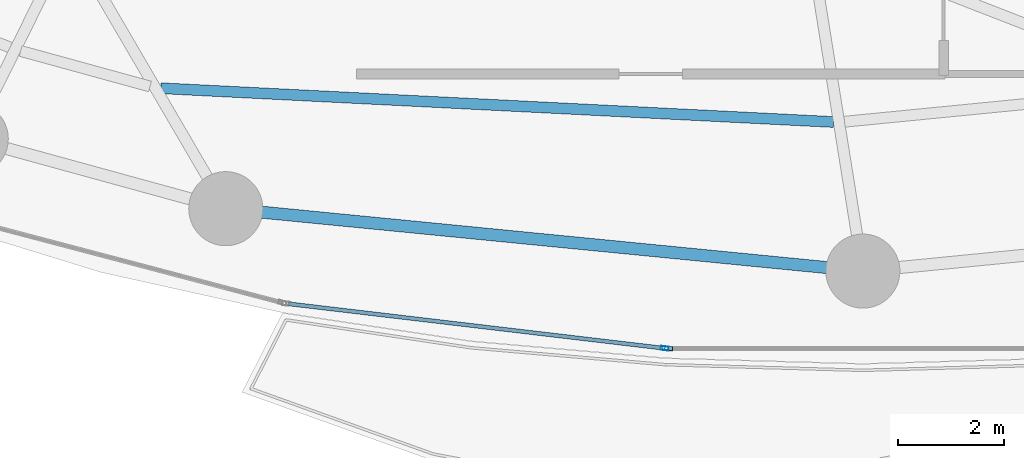
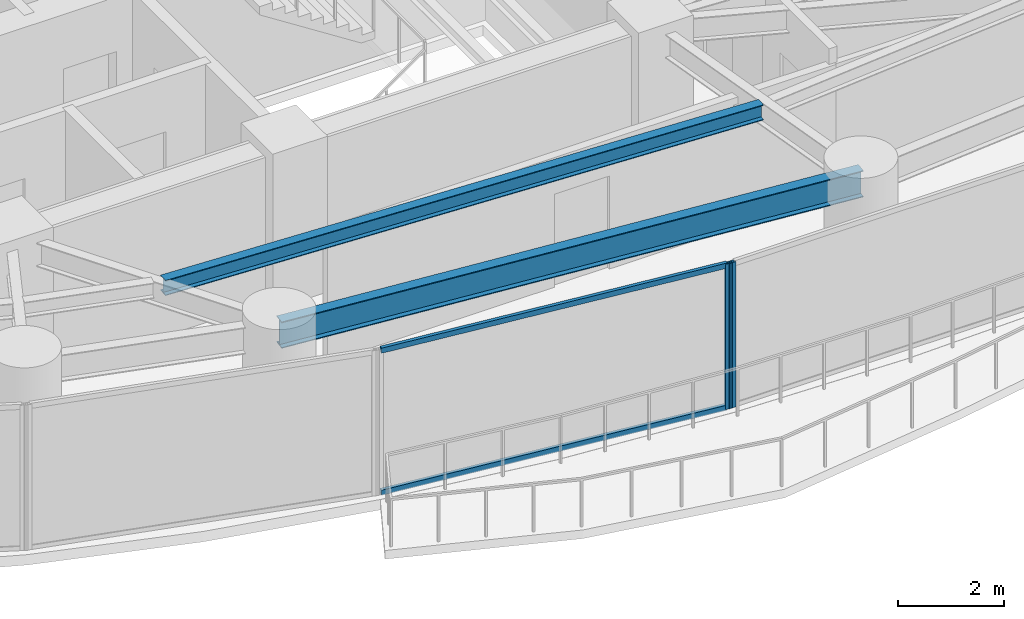
# One storey, part 6 of 31: 4 members, 2 beams, 2 elements without a shape of their own.
"""IFC4 building model written with IfcOpenShell, lengths in metres."""

from ifc_helpers import new_model, si_unit, direction, frame, origin, origin_2d, place, context, subcontext, project, spatial, hollow_rectangle, i_section, extrude, material, layer, layer_set, material_profile, profile_set, type_object, element, aggregate, save


model = new_model("IFC4")

# Units and contexts
model_context = context("Model", 3, precision=1e-05, world=origin(), true_north=direction((0.0, 1.0)))
body_context = subcontext(model_context, "Body", "Model", "MODEL_VIEW")
ifc_project = project(units=[si_unit("LENGTHUNIT", "METRE"), si_unit("AREAUNIT", "SQUARE_METRE"), si_unit("VOLUMEUNIT", "CUBIC_METRE"), si_unit("PLANEANGLEUNIT", "RADIAN"), si_unit("MASSUNIT", "GRAM", prefix="KILO")], contexts=[model_context])

# Site, building, storey
site_placement = place(None, origin())
site = spatial("IfcSite", under=ifc_project, at=site_placement, CompositionType="ELEMENT")
building_placement = place(site_placement, origin())
building = spatial("IfcBuilding", under=site, at=building_placement, Name="Kazevale Care Tower and Concert Hall", CompositionType="ELEMENT")
storey_placement = place(building_placement, frame((0.0, 0.0, 78.0)))
storey = spatial("IfcBuildingStorey", under=building, at=storey_placement, Name="L20", CompositionType="ELEMENT", Elevation=78.0)

# Curtain wall, member
ifc_material_1 = material(Name="Aluminium 6063-T6 and Low-E Glass", Category="aluminium")
ifc_layer = layer(ifc_material_1, 0.179931640625)
ifc_layer_set = layer_set([ifc_layer], Name="Aluminium 6063-T6 and Low-E Glass")
curtain_wall_type = type_object("IfcCurtainWallType", Name="Sheltered Concave Balcony Curtain Wall CW-5", PredefinedType="NOTDEFINED", material=ifc_layer_set)
curtain_wall_1_placement = place(storey_placement, origin())
curtain_wall_1 = element("IfcCurtainWall", 1, at=curtain_wall_1_placement, inside=storey, type_object=curtain_wall_type, Name="cw:L20:f06", PredefinedType="NOTDEFINED")
ifc_material_2 = material(Name="Aluminium 6063-T6", Category="aluminium")
ifc_material_profile_1 = material_profile(ifc_material_2, hollow_rectangle(XDim=0.074951171875, YDim=0.14990234375, WallThickness=0.00390625, at=origin_2d()), Name="ALU75x150x4")
ifc_profile_set_1 = profile_set([ifc_material_profile_1], Name="Aluminium 6063-T6")
member_type_1 = type_object("IfcMemberType", Name="CW-5 Mullion ALU75x150x4", PredefinedType="MULLION", material=ifc_profile_set_1)
member_1_placement = place(storey_placement, frame((41.33056640625, 15.885986328125, 0.0), z_axis=(0.0, 0.0, 1.0), x_axis=(0.0, -1.0, 0.0)))
member_1 = element("IfcMember", 2, at=member_1_placement, type_object=member_type_1, Name="CW-5 mullion 2", PredefinedType="MULLION", context=body_context, shape_type="SweptSolid", body=[
    extrude(hollow_rectangle(XDim=0.074951171875, YDim=0.14990234375, WallThickness=0.00390625, at=origin_2d()), origin(), (0.0, 0.0, 1.0), 3.360107421875),
])
aggregate(curtain_wall_1, [member_1])

# Curtain wall, members
curtain_wall_2_placement = place(storey_placement, origin())
curtain_wall_2 = element("IfcCurtainWall", 3, at=curtain_wall_2_placement, inside=storey, type_object=curtain_wall_type, Name="cw:L20:f07", PredefinedType="NOTDEFINED")
member_2_placement = place(storey_placement, frame((41.255859375, 15.890380859375, 0.0), z_axis=(0.0, 0.0, 1.0), x_axis=(-0.117519084253, -0.993070624294, 0.0)))
member_2 = element("IfcMember", 4, at=member_2_placement, type_object=member_type_1, Name="CW-5 mullion 1", PredefinedType="MULLION", context=body_context, shape_type="SweptSolid", body=[
    extrude(hollow_rectangle(XDim=0.074951171875, YDim=0.14990234375, WallThickness=0.00390625, at=origin_2d()), origin(), (0.0, 0.0, 1.0), 3.360107421875),
])
ifc_material_profile_2 = material_profile(ifc_material_2, hollow_rectangle(XDim=0.074951171875, YDim=0.1201171875, WallThickness=0.00390625, at=origin_2d()), Name="ALU75x120x4")
ifc_profile_set_2 = profile_set([ifc_material_profile_2], Name="Aluminium 6063-T6")
member_type_2 = type_object("IfcMemberType", Name="CW-5 Transom ALU75x120x4", PredefinedType="USERDEFINED", material=ifc_profile_set_2)
member_3_placement = place(storey_placement, frame((41.218505859375, 15.894775390625, 0.03759765625), z_axis=(-0.993069913078, 0.117525094085, 0.0), x_axis=(-0.117525094085, -0.993069913078, 0.0)))
member_3 = element("IfcMember", 5, at=member_3_placement, type_object=member_type_2, Name="CW-5 transom 1.1", ObjectType="TRANSOM", PredefinedType="USERDEFINED", context=body_context, shape_type="SweptSolid", body=[
    extrude(hollow_rectangle(XDim=0.074951171875, YDim=0.1201171875, WallThickness=0.00390625, at=origin_2d()), origin(), (0.0, 0.0, 1.0), 7.125244140625),
])
member_4_placement = place(storey_placement, frame((41.218505859375, 15.894775390625, 3.322509765625), z_axis=(-0.993069913078, 0.117525094085, 0.0), x_axis=(-0.117525094085, -0.993069913078, 0.0)))
member_4 = element("IfcMember", 6, at=member_4_placement, type_object=member_type_2, Name="CW-5 transom 1.2", ObjectType="TRANSOM", PredefinedType="USERDEFINED", context=body_context, shape_type="SweptSolid", body=[
    extrude(hollow_rectangle(XDim=0.074951171875, YDim=0.1201171875, WallThickness=0.00390625, at=origin_2d()), origin(), (0.0, 0.0, 1.0), 7.125244140625),
])
aggregate(curtain_wall_2, [member_2, member_3, member_4])

# Beams
ifc_material_3 = material(Name="Steel ASTM A572 Gr 50", Category="steel")
ifc_material_profile_3 = material_profile(ifc_material_3, i_section(OverallWidth=0.22900390625, OverallDepth=0.612060546875, WebThickness=0.011962890625, FlangeThickness=0.01953125, at=origin_2d()), Name="W610x125")
ifc_profile_set_3 = profile_set([ifc_material_profile_3], Name="Steel ASTM A572 Gr 50")
beam_type_1 = type_object("IfcBeamType", Name="Ring Spandrel Beam W610x125", PredefinedType="SPANDREL", material=ifc_profile_set_3)
beam_1_placement = place(storey_placement, frame((32.9599609375, 18.530029296875, 3.053955078125), z_axis=(0.995232251602, -0.09753340644, 0.0), x_axis=(0.09753340644, 0.995232251602, 0.0)))
element("IfcBeam", 7, at=beam_1_placement, inside=storey, type_object=beam_type_1, Name="beam:L20:ring:12", PredefinedType="SPANDREL", context=body_context, shape_type="SweptSolid", body=[
    extrude(i_section(OverallWidth=0.22900390625, OverallDepth=0.612060546875, WebThickness=0.011962890625, FlangeThickness=0.01953125, at=origin_2d()), origin(), (0.0, 0.0, 1.0), 12.09765625),
])
ifc_material_profile_4 = material_profile(ifc_material_3, i_section(OverallWidth=0.205078125, OverallDepth=0.35400390625, WebThickness=0.009521484375, FlangeThickness=0.016845703125, at=origin_2d()), Name="W360x79")
ifc_profile_set_4 = profile_set([ifc_material_profile_4], Name="Steel ASTM A572 Gr 50")
beam_type_2 = type_object("IfcBeamType", Name="Secondary Floor Joist W360x79", PredefinedType="JOIST", material=ifc_profile_set_4)
beam_2_placement = place(storey_placement, frame((31.73291015625, 20.805908203125, 3.18310546875), z_axis=(0.998743186005, -0.050120339262, 0.0), x_axis=(0.050120339262, 0.998743186005, 0.0)))
element("IfcBeam", 8, at=beam_2_placement, inside=storey, type_object=beam_type_2, Name="beam:L20:joist:12", PredefinedType="JOIST", context=body_context, shape_type="SweptSolid", body=[
    extrude(i_section(OverallWidth=0.205078125, OverallDepth=0.35400390625, WebThickness=0.009521484375, FlangeThickness=0.016845703125, at=origin_2d()), origin(), (0.0, 0.0, 1.0), 12.728271484375),
])

save(model, "model.ifc")
